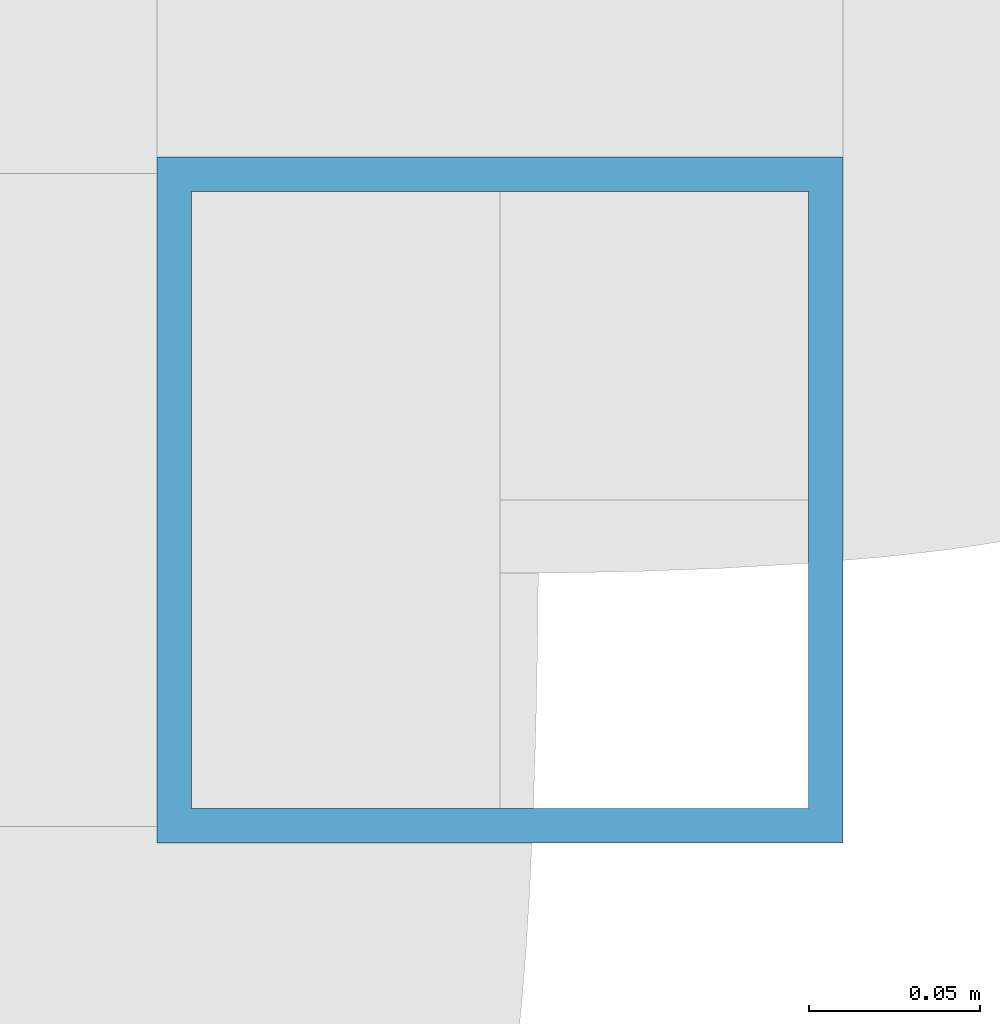
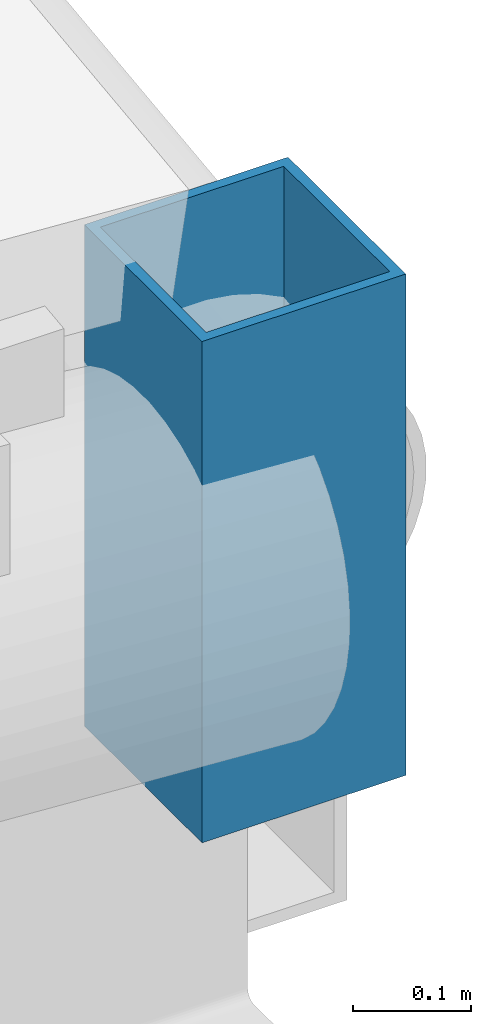
# One storey, part 28 of 44: 1 member.
"""IFC4 building model written with IfcOpenShell, lengths in metres."""

from ifc_helpers import new_model, si_unit, direction, frame, origin, origin_2d, place, context, subcontext, project, spatial, hollow_rectangle, extrude, material, material_profile, profile_set, type_object, element, save


model = new_model("IFC4")

# Units and contexts
model_context = context("Model", 3, precision=1e-05, world=origin(), true_north=direction((0.0, 1.0)))
body_context = subcontext(model_context, "Body", "Model", "MODEL_VIEW")
ifc_project = project(units=[si_unit("LENGTHUNIT", "METRE"), si_unit("AREAUNIT", "SQUARE_METRE"), si_unit("VOLUMEUNIT", "CUBIC_METRE"), si_unit("PLANEANGLEUNIT", "RADIAN"), si_unit("MASSUNIT", "GRAM", prefix="KILO")], contexts=[model_context])

# Site, building, storey
site_placement = place(None, origin())
site = spatial("IfcSite", under=ifc_project, at=site_placement, CompositionType="ELEMENT")
building_placement = place(site_placement, origin())
building = spatial("IfcBuilding", under=site, at=building_placement, Name="Tenunan Teduh Sports Hall", CompositionType="ELEMENT")
storey_placement = place(building_placement, frame((0.0, 0.0, 19.199951171875)))
storey = spatial("IfcBuildingStorey", under=building, at=storey_placement, Name="L04", CompositionType="ELEMENT", Elevation=19.199951171875)

# Member
ifc_material = material(Name="Steel S355", Category="steel")
ifc_material_profile = material_profile(ifc_material, hollow_rectangle(XDim=0.199951171875, YDim=0.199951171875, WallThickness=0.010009765625, at=origin_2d()), Name="SHS 200x200x10.0")
ifc_profile_set = profile_set([ifc_material_profile], Name="Steel S355")
member_type = type_object("IfcMemberType", Name="MEM-ST-SHS200", PredefinedType="STRUT", material=ifc_profile_set)
member_placement = place(storey_placement, frame((154.0, 46.0, -0.39990234375), z_axis=(0.0, 0.0, 1.0), x_axis=(1.0, 0.0, 0.0)))
element("IfcMember", 1, at=member_placement, inside=storey, type_object=member_type, Name="MEM-VS-02-L04-0834", PredefinedType="STRUT", context=body_context, shape_type="SweptSolid", body=[
    extrude(hollow_rectangle(XDim=0.199951171875, YDim=0.199951171875, WallThickness=0.010009765625, at=origin_2d()), origin(), (0.0, 0.0, 1.0), 0.52001953125),
])

save(model, "model.ifc")
